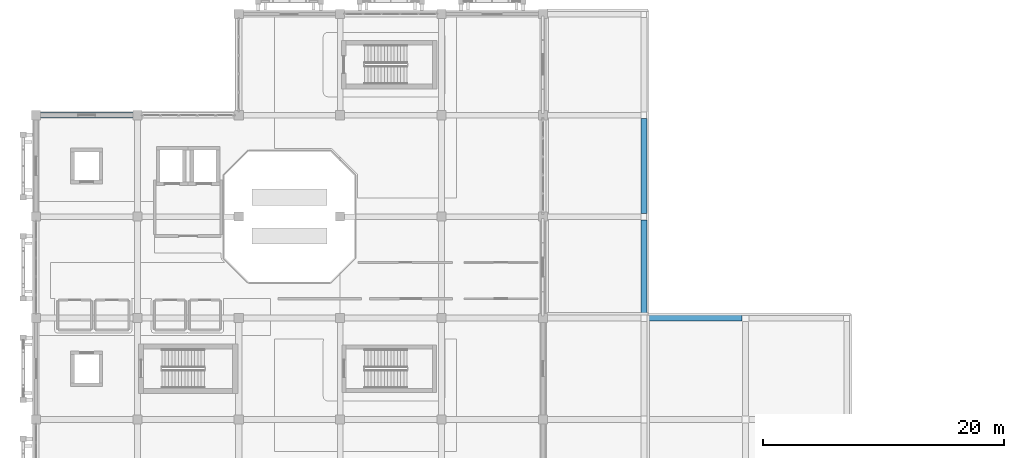
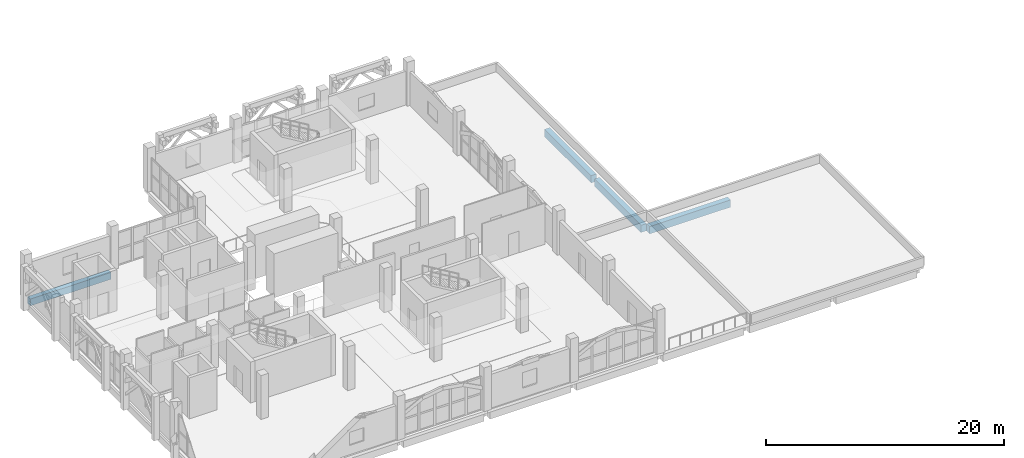
# One storey, part 13 of 34: 4 beams.
"""IFC4 building model written with IfcOpenShell, lengths in metres."""

from ifc_helpers import new_model, si_unit, direction, frame, origin, origin_2d, place, context, subcontext, project, spatial, rectangle, extrude, material, material_profile, profile_set, type_object, element, save


model = new_model("IFC4")

# Units and contexts
model_context = context("Model", 3, precision=1e-05, world=origin(), true_north=direction((0.0, 1.0)))
body_context = subcontext(model_context, "Body", "Model", "MODEL_VIEW")
ifc_project = project(units=[si_unit("LENGTHUNIT", "METRE"), si_unit("AREAUNIT", "SQUARE_METRE"), si_unit("VOLUMEUNIT", "CUBIC_METRE"), si_unit("PLANEANGLEUNIT", "RADIAN"), si_unit("MASSUNIT", "GRAM", prefix="KILO")], contexts=[model_context])

# Site, building, storey
site_placement = place(None, origin())
site = spatial("IfcSite", under=ifc_project, at=site_placement, CompositionType="ELEMENT")
building_placement = place(site_placement, origin())
building = spatial("IfcBuilding", under=site, at=building_placement, Name="Xazarin Passage Department Store", CompositionType="ELEMENT")
storey_placement = place(building_placement, frame((0.0, 0.0, 18.89990234375)))
storey = spatial("IfcBuildingStorey", under=building, at=storey_placement, Name="L04", CompositionType="ELEMENT", Elevation=18.89990234375)

# Beams
ifc_material = material(Name="Concrete C35/45", Category="concrete")
ifc_material_profile_1 = material_profile(ifc_material, rectangle(XDim=0.449951171875, YDim=0.699951171875, at=origin_2d()), Name="RC 450x700")
ifc_profile_set_1 = profile_set([ifc_material_profile_1], Name="Concrete C35/45")
beam_type_1 = type_object("IfcBeamType", Name="STR-BM-G450x700", PredefinedType="BEAM", material=ifc_profile_set_1)
beam_1_placement = place(storey_placement, frame((0.280029296875, 101.60009765625, -0.64990234375), z_axis=(1.0, 0.0, 0.0), x_axis=(0.0, 1.0, 0.0)))
element("IfcBeam", 1, at=beam_1_placement, inside=storey, type_object=beam_type_1, Name="L04 Grid Beam P/1-2", PredefinedType="BEAM", context=body_context, shape_type="SweptSolid", body=[
    extrude(rectangle(XDim=0.449951171875, YDim=0.699951171875, at=origin_2d()), origin(), (0.0, 0.0, 1.0), 7.840087890625),
])
ifc_material_profile_2 = material_profile(ifc_material, rectangle(XDim=0.5, YDim=0.75, at=origin_2d()), Name="RC 500x750")
ifc_profile_set_2 = profile_set([ifc_material_profile_2], Name="Concrete C35/45")
beam_type_2 = type_object("IfcBeamType", Name="STR-BM-SP500x750", PredefinedType="SPANDREL", material=ifc_profile_set_2)
beam_2_placement = place(storey_placement, frame((50.679931640625, 84.800048828125, -0.6748046875), z_axis=(1.0, 0.0, 0.0), x_axis=(0.0, 1.0, 0.0)))
element("IfcBeam", 2, at=beam_2_placement, inside=storey, type_object=beam_type_2, Name="L04 Grid Beam M/7-8", PredefinedType="SPANDREL", context=body_context, shape_type="SweptSolid", body=[
    extrude(rectangle(XDim=0.5, YDim=0.75, at=origin_2d()), origin(), (0.0, 0.0, 1.0), 7.840087890625),
])
beam_3_placement = place(storey_placement, frame((50.39990234375, 85.080078125, -0.6748046875), z_axis=(0.0, 1.0, 0.0), x_axis=(-1.0, 0.0, 0.0)))
element("IfcBeam", 3, at=beam_3_placement, inside=storey, type_object=beam_type_2, Name="L04 Grid Beam 7/M-N", PredefinedType="SPANDREL", context=body_context, shape_type="SweptSolid", body=[
    extrude(rectangle(XDim=0.5, YDim=0.75, at=origin_2d()), origin(), (0.0, 0.0, 1.0), 7.83984375),
])
beam_4_placement = place(storey_placement, frame((50.39990234375, 93.47998046875, -0.6748046875), z_axis=(0.0, 1.0, 0.0), x_axis=(-1.0, 0.0, 0.0)))
element("IfcBeam", 4, at=beam_4_placement, inside=storey, type_object=beam_type_2, Name="L04 Grid Beam 7/N-P", PredefinedType="SPANDREL", context=body_context, shape_type="SweptSolid", body=[
    extrude(rectangle(XDim=0.5, YDim=0.75, at=origin_2d()), origin(), (0.0, 0.0, 1.0), 7.840087890625),
])

save(model, "model.ifc")
